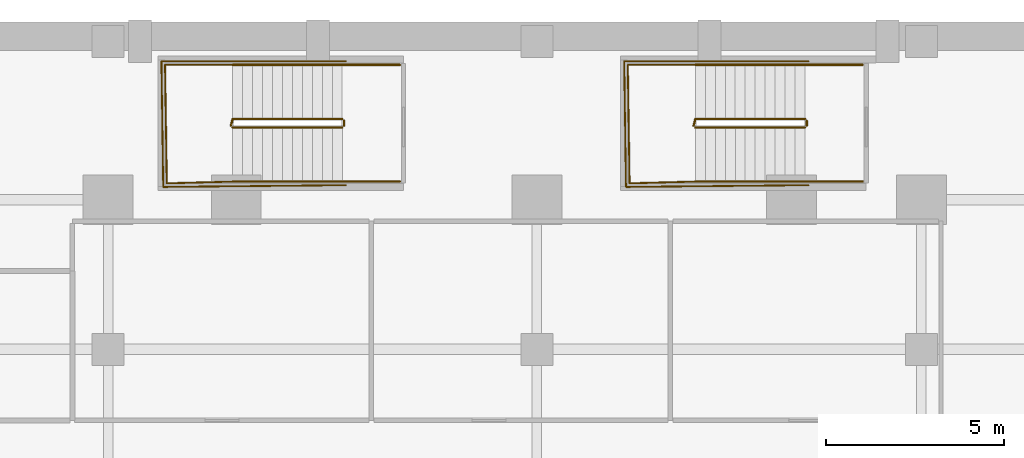
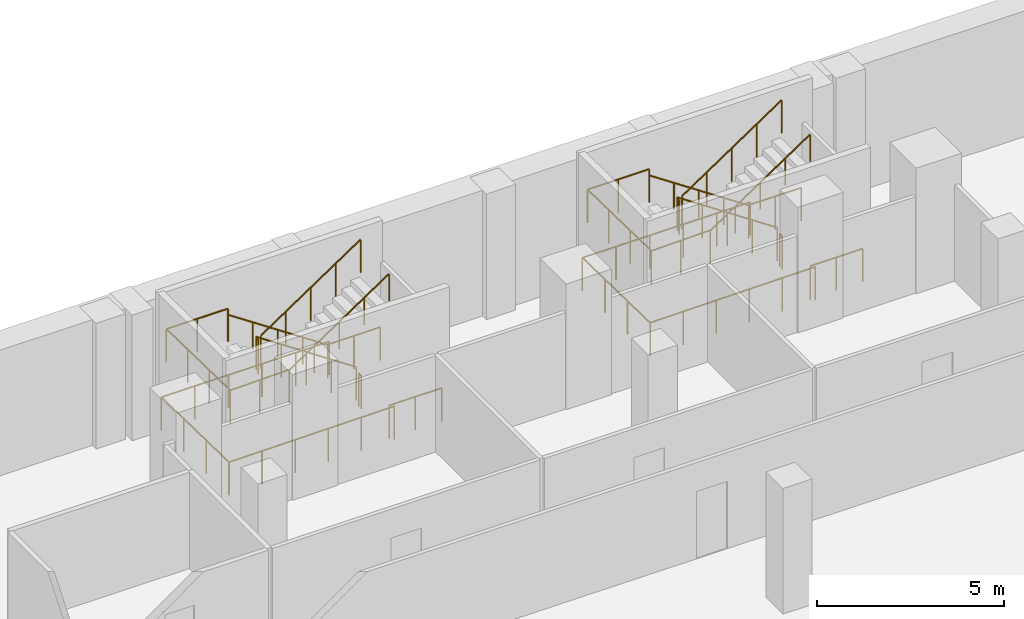
# One storey, part 16 of 18: 18 railings.
"""IFC4 building model written with IfcOpenShell, lengths in metres."""

from ifc_helpers import new_model, si_unit, direction, frame, origin, origin_2d, place, context, subcontext, project, spatial, circle, extrude, material, layer, layer_set, type_object, element, save


model = new_model("IFC4")

# Units and contexts
model_context = context("Model", 3, precision=1e-05, world=origin(), true_north=direction((0.0, 1.0)))
body_context = subcontext(model_context, "Body", "Model", "MODEL_VIEW")
ifc_project = project(units=[si_unit("LENGTHUNIT", "METRE"), si_unit("AREAUNIT", "SQUARE_METRE"), si_unit("VOLUMEUNIT", "CUBIC_METRE"), si_unit("PLANEANGLEUNIT", "RADIAN"), si_unit("MASSUNIT", "GRAM", prefix="KILO")], contexts=[model_context])

# Site, building, storey
site_placement = place(None, origin())
site = spatial("IfcSite", under=ifc_project, at=site_placement, CompositionType="ELEMENT")
building_placement = place(site_placement, origin())
building = spatial("IfcBuilding", under=site, at=building_placement, Name="Ndaravel Arena Tower", CompositionType="ELEMENT")
storey_placement = place(building_placement, frame((0.0, 0.0, -4.5)))
storey = spatial("IfcBuildingStorey", under=building, at=storey_placement, Name="B01", CompositionType="ELEMENT", Elevation=-4.5)

# Railings
ifc_material_1 = material(Name="Steel S355", Category="steel")
ifc_layer_1 = layer(ifc_material_1, 0.06005859375)
ifc_layer_set_1 = layer_set([ifc_layer_1], Name="Steel S355")
railing_type_1 = type_object("IfcRailingType", Name="RAIL-STAIR-GD1100", PredefinedType="GUARDRAIL", material=ifc_layer_set_1)
railing_1_placement = place(storey_placement, frame((37.179931640625, 45.27001953125, 0.1875)))
element("IfcRailing", 1, at=railing_1_placement, inside=storey, type_object=railing_type_1, Name="B01 ST-B3 stair guard 1", PredefinedType="GUARDRAIL", context=body_context, shape_type="SweptSolid", body=[
    extrude(circle(Radius=0.02392578125, at=origin_2d()), frame((0.0, 0.0, 1.076171875), z_axis=(-0.830893310487, 0.0, 0.556431762742), x_axis=(0.0, -1.0, 0.0)), (0.0, 0.0, 1.0), 3.70654296875),
    extrude(circle(Radius=0.02392578125, at=origin_2d()), frame((-3.079833984375, 0.0, 3.138671875), z_axis=(-0.254799187253, -0.966993988697, 0.0), x_axis=(0.966993988697, -0.254799187253, 0.0)), (0.0, 0.0, 1.0), 0.196533203125),
    extrude(circle(Radius=0.02099609375, at=origin_2d()), origin(), (0.0, 0.0, 1.0), 1.052001953125),
    extrude(circle(Radius=0.02099609375, at=origin_2d()), frame((-0.77001953125, 0.0, 0.515625)), (0.0, 0.0, 1.0), 1.052001953125),
    extrude(circle(Radius=0.02099609375, at=origin_2d()), frame((-1.5400390625, 0.0, 1.03125)), (0.0, 0.0, 1.0), 1.052001953125),
    extrude(circle(Radius=0.02099609375, at=origin_2d()), frame((-2.309814453125, 0.0, 1.546875)), (0.0, 0.0, 1.0), 1.052001953125),
    extrude(circle(Radius=0.02099609375, at=origin_2d()), frame((-3.079833984375, 0.0, 2.0625)), (0.0, 0.0, 1.0), 1.052001953125),
    extrude(circle(Radius=0.02099609375, at=origin_2d()), frame((-3.1298828125, -0.18994140625, 2.0625)), (0.0, 0.0, 1.0), 1.052001953125),
])
railing_2_placement = place(storey_placement, frame((34.10009765625, 46.7900390625, 2.25)))
element("IfcRailing", 2, at=railing_2_placement, inside=storey, type_object=railing_type_1, Name="B01 ST-B3 stair guard 2", PredefinedType="GUARDRAIL", context=body_context, shape_type="SweptSolid", body=[
    extrude(circle(Radius=0.02392578125, at=origin_2d()), frame((0.0, 0.0, 1.076171875), z_axis=(-1.0, 0.0, 0.0), x_axis=(0.0, -1.0, 0.0)), (0.0, 0.0, 1.0), 1.900146484375),
    extrude(circle(Radius=0.02392578125, at=origin_2d()), frame((-1.900146484375, 0.0, 1.076171875), z_axis=(0.015027628384, -0.999887078817, 0.0), x_axis=(0.999887078817, 0.015027628384, 0.0)), (0.0, 0.0, 1.0), 3.33056640625),
    extrude(circle(Radius=0.02392578125, at=origin_2d()), frame((-1.85009765625, -3.330078125, 1.076171875), z_axis=(0.999634295555, 0.027042099576, 0.0), x_axis=(-0.027042099576, 0.999634295555, 0.0)), (0.0, 0.0, 1.0), 1.850830078125),
    extrude(circle(Radius=0.02099609375, at=origin_2d()), origin(), (0.0, 0.0, 1.0), 1.052001953125),
    extrude(circle(Radius=0.02099609375, at=origin_2d()), frame((-0.9501953125, 0.0, 0.0)), (0.0, 0.0, 1.0), 1.052001953125),
    extrude(circle(Radius=0.02099609375, at=origin_2d()), frame((-1.900146484375, 0.0, 0.0)), (0.0, 0.0, 1.0), 1.052001953125),
    extrude(circle(Radius=0.02099609375, at=origin_2d()), frame((-1.883544921875, -1.110107421875, 0.0)), (0.0, 0.0, 1.0), 1.052001953125),
    extrude(circle(Radius=0.02099609375, at=origin_2d()), frame((-1.86669921875, -2.219970703125, 0.0)), (0.0, 0.0, 1.0), 1.052001953125),
    extrude(circle(Radius=0.02099609375, at=origin_2d()), frame((-1.85009765625, -3.330078125, 0.0)), (0.0, 0.0, 1.0), 1.052001953125),
    extrude(circle(Radius=0.02099609375, at=origin_2d()), frame((-0.925048828125, -3.30517578125, 0.0)), (0.0, 0.0, 1.0), 1.052001953125),
    extrude(circle(Radius=0.02099609375, at=origin_2d()), frame((0.0, -3.280029296875, 0.0)), (0.0, 0.0, 1.0), 1.052001953125),
])
railing_3_placement = place(storey_placement, frame((34.10009765625, 45.030029296875, 2.4375)))
element("IfcRailing", 3, at=railing_3_placement, inside=storey, type_object=railing_type_1, Name="B01 ST-B3 stair guard 3", PredefinedType="GUARDRAIL", context=body_context, shape_type="SweptSolid", body=[
    extrude(circle(Radius=0.02392578125, at=origin_2d()), frame((0.0, 0.0, 1.076171875), z_axis=(0.830893310487, 0.0, 0.556431762742), x_axis=(0.0, 1.0, 0.0)), (0.0, 0.0, 1.0), 3.70654296875),
    extrude(circle(Radius=0.02099609375, at=origin_2d()), origin(), (0.0, 0.0, 1.0), 1.052001953125),
    extrude(circle(Radius=0.02099609375, at=origin_2d()), frame((0.77001953125, 0.0, 0.515625)), (0.0, 0.0, 1.0), 1.052001953125),
    extrude(circle(Radius=0.02099609375, at=origin_2d()), frame((1.5400390625, 0.0, 1.03125)), (0.0, 0.0, 1.0), 1.052001953125),
    extrude(circle(Radius=0.02099609375, at=origin_2d()), frame((2.309814453125, 0.0, 1.546875)), (0.0, 0.0, 1.0), 1.052001953125),
    extrude(circle(Radius=0.02099609375, at=origin_2d()), frame((3.079833984375, 0.0, 2.0625)), (0.0, 0.0, 1.0), 1.052001953125),
])
railing_4_placement = place(storey_placement, frame((37.22998046875, 45.219970703125, 0.0)))
element("IfcRailing", 4, at=railing_4_placement, inside=storey, type_object=railing_type_1, Name="B01 ST-B3 stair guard 4", PredefinedType="GUARDRAIL", context=body_context, shape_type="SweptSolid", body=[
    extrude(circle(Radius=0.02392578125, at=origin_2d()), frame((0.0, 0.0, 1.076171875), z_axis=(0.0, -1.0, 0.0), x_axis=(1.0, 0.0, 0.0)), (0.0, 0.0, 1.0), 0.139892578125),
    extrude(circle(Radius=0.02099609375, at=origin_2d()), origin(), (0.0, 0.0, 1.0), 1.052001953125),
    extrude(circle(Radius=0.02099609375, at=origin_2d()), frame((0.0, -0.139892578125, 0.0)), (0.0, 0.0, 1.0), 1.052001953125),
])
for number, where, name in (
    (5, (38.800048828125, 46.7900390625, 0.0), "B01 ST-B3 stair guard 5"),
    (6, (38.800048828125, 43.510009765625, 0.0), "B01 ST-B3 stair guard 6"),
):
    element("IfcRailing", number, at=place(storey_placement, frame(where)), inside=storey, type_object=railing_type_1, Name=name, PredefinedType="GUARDRAIL", context=body_context, shape_type="SweptSolid", body=[
        extrude(circle(Radius=0.02392578125, at=origin_2d()), frame((0.0, 0.0, 1.076171875), z_axis=(-1.0, 0.0, 0.0), x_axis=(0.0, -1.0, 0.0)), (0.0, 0.0, 1.0), 1.6201171875),
        extrude(circle(Radius=0.02099609375, at=origin_2d()), origin(), (0.0, 0.0, 1.0), 1.052001953125),
        extrude(circle(Radius=0.02099609375, at=origin_2d()), frame((-0.81005859375, 0.0, 0.0)), (0.0, 0.0, 1.0), 1.052001953125),
        extrude(circle(Radius=0.02099609375, at=origin_2d()), frame((-1.6201171875, 0.0, 0.0)), (0.0, 0.0, 1.0), 1.052001953125),
    ])
railing_5_placement = place(storey_placement, frame((37.280029296875, 46.889892578125, 0.0)))
element("IfcRailing", 7, at=railing_5_placement, inside=storey, type_object=railing_type_1, Name="B01 ST-B3 stair guard 7", PredefinedType="GUARDRAIL", context=body_context, shape_type="SweptSolid", body=[
    extrude(circle(Radius=0.02392578125, at=origin_2d()), frame((0.0, 0.0, 1.076171875), z_axis=(-1.0, 0.0, 0.0), x_axis=(0.0, -1.0, 0.0)), (0.0, 0.0, 1.0), 5.179931640625),
    extrude(circle(Radius=0.02392578125, at=origin_2d()), frame((-5.179931640625, 0.0, 1.076171875), z_axis=(0.014108431049, -0.999900471134, 0.0), x_axis=(0.999900471134, 0.014108431049, 0.0)), (0.0, 0.0, 1.0), 3.530029296875),
    extrude(circle(Radius=0.02392578125, at=origin_2d()), frame((-5.130126953125, -3.52978515625, 1.076171875), z_axis=(0.999952878021, 0.009707818356, 0.0), x_axis=(-0.009707818356, 0.999952878021, 0.0)), (0.0, 0.0, 1.0), 5.13037109375),
    extrude(circle(Radius=0.02099609375, at=origin_2d()), origin(), (0.0, 0.0, 1.0), 1.052001953125),
    extrude(circle(Radius=0.02099609375, at=origin_2d()), frame((-1.035888671875, 0.0, 0.0)), (0.0, 0.0, 1.0), 1.052001953125),
    extrude(circle(Radius=0.02099609375, at=origin_2d()), frame((-2.072021484375, 0.0, 0.0)), (0.0, 0.0, 1.0), 1.052001953125),
    extrude(circle(Radius=0.02099609375, at=origin_2d()), frame((-3.10791015625, 0.0, 0.0)), (0.0, 0.0, 1.0), 1.052001953125),
    extrude(circle(Radius=0.02099609375, at=origin_2d()), frame((-4.14404296875, 0.0, 0.0)), (0.0, 0.0, 1.0), 1.052001953125),
    extrude(circle(Radius=0.02099609375, at=origin_2d()), frame((-5.179931640625, 0.0, 0.0)), (0.0, 0.0, 1.0), 1.052001953125),
    extrude(circle(Radius=0.02099609375, at=origin_2d()), frame((-5.163330078125, -1.176513671875, 0.0)), (0.0, 0.0, 1.0), 1.052001953125),
    extrude(circle(Radius=0.02099609375, at=origin_2d()), frame((-5.146728515625, -2.353271484375, 0.0)), (0.0, 0.0, 1.0), 1.052001953125),
    extrude(circle(Radius=0.02099609375, at=origin_2d()), frame((-5.130126953125, -3.52978515625, 0.0)), (0.0, 0.0, 1.0), 1.052001953125),
    extrude(circle(Radius=0.02099609375, at=origin_2d()), frame((-4.10400390625, -3.519775390625, 0.0)), (0.0, 0.0, 1.0), 1.052001953125),
    extrude(circle(Radius=0.02099609375, at=origin_2d()), frame((-3.078125, -3.509765625, 0.0)), (0.0, 0.0, 1.0), 1.052001953125),
    extrude(circle(Radius=0.02099609375, at=origin_2d()), frame((-2.052001953125, -3.5, 0.0)), (0.0, 0.0, 1.0), 1.052001953125),
    extrude(circle(Radius=0.02099609375, at=origin_2d()), frame((-1.026123046875, -3.489990234375, 0.0)), (0.0, 0.0, 1.0), 1.052001953125),
    extrude(circle(Radius=0.02099609375, at=origin_2d()), frame((0.0, -3.47998046875, 0.0)), (0.0, 0.0, 1.0), 1.052001953125),
])
railing_6_placement = place(storey_placement, frame((50.179931640625, 45.27001953125, 0.1875)))
element("IfcRailing", 8, at=railing_6_placement, inside=storey, type_object=railing_type_1, Name="B01 ST-B4 stair guard 1", PredefinedType="GUARDRAIL", context=body_context, shape_type="SweptSolid", body=[
    extrude(circle(Radius=0.02392578125, at=origin_2d()), frame((0.0, 0.0, 1.076171875), z_axis=(-0.830893310487, 0.0, 0.556431762742), x_axis=(0.0, -1.0, 0.0)), (0.0, 0.0, 1.0), 3.70654296875),
    extrude(circle(Radius=0.02392578125, at=origin_2d()), frame((-3.079833984375, 0.0, 3.138671875), z_axis=(-0.254799187253, -0.966993988697, 0.0), x_axis=(0.966993988697, -0.254799187253, 0.0)), (0.0, 0.0, 1.0), 0.196533203125),
    extrude(circle(Radius=0.02099609375, at=origin_2d()), origin(), (0.0, 0.0, 1.0), 1.052001953125),
    extrude(circle(Radius=0.02099609375, at=origin_2d()), frame((-0.77001953125, 0.0, 0.515625)), (0.0, 0.0, 1.0), 1.052001953125),
    extrude(circle(Radius=0.02099609375, at=origin_2d()), frame((-1.5400390625, 0.0, 1.03125)), (0.0, 0.0, 1.0), 1.052001953125),
    extrude(circle(Radius=0.02099609375, at=origin_2d()), frame((-2.309814453125, 0.0, 1.546875)), (0.0, 0.0, 1.0), 1.052001953125),
    extrude(circle(Radius=0.02099609375, at=origin_2d()), frame((-3.079833984375, 0.0, 2.0625)), (0.0, 0.0, 1.0), 1.052001953125),
    extrude(circle(Radius=0.02099609375, at=origin_2d()), frame((-3.1298828125, -0.18994140625, 2.0625)), (0.0, 0.0, 1.0), 1.052001953125),
])
railing_7_placement = place(storey_placement, frame((47.10009765625, 46.7900390625, 2.25)))
element("IfcRailing", 9, at=railing_7_placement, inside=storey, type_object=railing_type_1, Name="B01 ST-B4 stair guard 2", PredefinedType="GUARDRAIL", context=body_context, shape_type="SweptSolid", body=[
    extrude(circle(Radius=0.02392578125, at=origin_2d()), frame((0.0, 0.0, 1.076171875), z_axis=(-1.0, 0.0, 0.0), x_axis=(0.0, -1.0, 0.0)), (0.0, 0.0, 1.0), 1.900146484375),
    extrude(circle(Radius=0.02392578125, at=origin_2d()), frame((-1.900146484375, 0.0, 1.076171875), z_axis=(0.015027628384, -0.999887078817, 0.0), x_axis=(0.999887078817, 0.015027628384, 0.0)), (0.0, 0.0, 1.0), 3.33056640625),
    extrude(circle(Radius=0.02392578125, at=origin_2d()), frame((-1.85009765625, -3.330078125, 1.076171875), z_axis=(0.999634295555, 0.027042099576, 0.0), x_axis=(-0.027042099576, 0.999634295555, 0.0)), (0.0, 0.0, 1.0), 1.850830078125),
    extrude(circle(Radius=0.02099609375, at=origin_2d()), origin(), (0.0, 0.0, 1.0), 1.052001953125),
    extrude(circle(Radius=0.02099609375, at=origin_2d()), frame((-0.9501953125, 0.0, 0.0)), (0.0, 0.0, 1.0), 1.052001953125),
    extrude(circle(Radius=0.02099609375, at=origin_2d()), frame((-1.900146484375, 0.0, 0.0)), (0.0, 0.0, 1.0), 1.052001953125),
    extrude(circle(Radius=0.02099609375, at=origin_2d()), frame((-1.883544921875, -1.110107421875, 0.0)), (0.0, 0.0, 1.0), 1.052001953125),
    extrude(circle(Radius=0.02099609375, at=origin_2d()), frame((-1.86669921875, -2.219970703125, 0.0)), (0.0, 0.0, 1.0), 1.052001953125),
    extrude(circle(Radius=0.02099609375, at=origin_2d()), frame((-1.85009765625, -3.330078125, 0.0)), (0.0, 0.0, 1.0), 1.052001953125),
    extrude(circle(Radius=0.02099609375, at=origin_2d()), frame((-0.925048828125, -3.30517578125, 0.0)), (0.0, 0.0, 1.0), 1.052001953125),
    extrude(circle(Radius=0.02099609375, at=origin_2d()), frame((0.0, -3.280029296875, 0.0)), (0.0, 0.0, 1.0), 1.052001953125),
])
railing_8_placement = place(storey_placement, frame((47.10009765625, 45.030029296875, 2.4375)))
element("IfcRailing", 10, at=railing_8_placement, inside=storey, type_object=railing_type_1, Name="B01 ST-B4 stair guard 3", PredefinedType="GUARDRAIL", context=body_context, shape_type="SweptSolid", body=[
    extrude(circle(Radius=0.02392578125, at=origin_2d()), frame((0.0, 0.0, 1.076171875), z_axis=(0.830893310487, 0.0, 0.556431762742), x_axis=(0.0, 1.0, 0.0)), (0.0, 0.0, 1.0), 3.70654296875),
    extrude(circle(Radius=0.02099609375, at=origin_2d()), origin(), (0.0, 0.0, 1.0), 1.052001953125),
    extrude(circle(Radius=0.02099609375, at=origin_2d()), frame((0.77001953125, 0.0, 0.515625)), (0.0, 0.0, 1.0), 1.052001953125),
    extrude(circle(Radius=0.02099609375, at=origin_2d()), frame((1.5400390625, 0.0, 1.03125)), (0.0, 0.0, 1.0), 1.052001953125),
    extrude(circle(Radius=0.02099609375, at=origin_2d()), frame((2.309814453125, 0.0, 1.546875)), (0.0, 0.0, 1.0), 1.052001953125),
    extrude(circle(Radius=0.02099609375, at=origin_2d()), frame((3.079833984375, 0.0, 2.0625)), (0.0, 0.0, 1.0), 1.052001953125),
])
railing_9_placement = place(storey_placement, frame((50.22998046875, 45.219970703125, 0.0)))
element("IfcRailing", 11, at=railing_9_placement, inside=storey, type_object=railing_type_1, Name="B01 ST-B4 stair guard 4", PredefinedType="GUARDRAIL", context=body_context, shape_type="SweptSolid", body=[
    extrude(circle(Radius=0.02392578125, at=origin_2d()), frame((0.0, 0.0, 1.076171875), z_axis=(0.0, -1.0, 0.0), x_axis=(1.0, 0.0, 0.0)), (0.0, 0.0, 1.0), 0.139892578125),
    extrude(circle(Radius=0.02099609375, at=origin_2d()), origin(), (0.0, 0.0, 1.0), 1.052001953125),
    extrude(circle(Radius=0.02099609375, at=origin_2d()), frame((0.0, -0.139892578125, 0.0)), (0.0, 0.0, 1.0), 1.052001953125),
])
for number, where, name in (
    (12, (51.800048828125, 46.7900390625, 0.0), "B01 ST-B4 stair guard 5"),
    (13, (51.800048828125, 43.510009765625, 0.0), "B01 ST-B4 stair guard 6"),
):
    element("IfcRailing", number, at=place(storey_placement, frame(where)), inside=storey, type_object=railing_type_1, Name=name, PredefinedType="GUARDRAIL", context=body_context, shape_type="SweptSolid", body=[
        extrude(circle(Radius=0.02392578125, at=origin_2d()), frame((0.0, 0.0, 1.076171875), z_axis=(-1.0, 0.0, 0.0), x_axis=(0.0, -1.0, 0.0)), (0.0, 0.0, 1.0), 1.6201171875),
        extrude(circle(Radius=0.02099609375, at=origin_2d()), origin(), (0.0, 0.0, 1.0), 1.052001953125),
        extrude(circle(Radius=0.02099609375, at=origin_2d()), frame((-0.81005859375, 0.0, 0.0)), (0.0, 0.0, 1.0), 1.052001953125),
        extrude(circle(Radius=0.02099609375, at=origin_2d()), frame((-1.6201171875, 0.0, 0.0)), (0.0, 0.0, 1.0), 1.052001953125),
    ])
railing_10_placement = place(storey_placement, frame((50.280029296875, 46.889892578125, 0.0)))
element("IfcRailing", 14, at=railing_10_placement, inside=storey, type_object=railing_type_1, Name="B01 ST-B4 stair guard 7", PredefinedType="GUARDRAIL", context=body_context, shape_type="SweptSolid", body=[
    extrude(circle(Radius=0.02392578125, at=origin_2d()), frame((0.0, 0.0, 1.076171875), z_axis=(-1.0, 0.0, 0.0), x_axis=(0.0, -1.0, 0.0)), (0.0, 0.0, 1.0), 5.179931640625),
    extrude(circle(Radius=0.02392578125, at=origin_2d()), frame((-5.179931640625, 0.0, 1.076171875), z_axis=(0.014108431049, -0.999900471134, 0.0), x_axis=(0.999900471134, 0.014108431049, 0.0)), (0.0, 0.0, 1.0), 3.530029296875),
    extrude(circle(Radius=0.02392578125, at=origin_2d()), frame((-5.130126953125, -3.52978515625, 1.076171875), z_axis=(0.999952878021, 0.009707818356, 0.0), x_axis=(-0.009707818356, 0.999952878021, 0.0)), (0.0, 0.0, 1.0), 5.13037109375),
    extrude(circle(Radius=0.02099609375, at=origin_2d()), origin(), (0.0, 0.0, 1.0), 1.052001953125),
    extrude(circle(Radius=0.02099609375, at=origin_2d()), frame((-1.035888671875, 0.0, 0.0)), (0.0, 0.0, 1.0), 1.052001953125),
    extrude(circle(Radius=0.02099609375, at=origin_2d()), frame((-2.072021484375, 0.0, 0.0)), (0.0, 0.0, 1.0), 1.052001953125),
    extrude(circle(Radius=0.02099609375, at=origin_2d()), frame((-3.10791015625, 0.0, 0.0)), (0.0, 0.0, 1.0), 1.052001953125),
    extrude(circle(Radius=0.02099609375, at=origin_2d()), frame((-4.14404296875, 0.0, 0.0)), (0.0, 0.0, 1.0), 1.052001953125),
    extrude(circle(Radius=0.02099609375, at=origin_2d()), frame((-5.179931640625, 0.0, 0.0)), (0.0, 0.0, 1.0), 1.052001953125),
    extrude(circle(Radius=0.02099609375, at=origin_2d()), frame((-5.163330078125, -1.176513671875, 0.0)), (0.0, 0.0, 1.0), 1.052001953125),
    extrude(circle(Radius=0.02099609375, at=origin_2d()), frame((-5.146728515625, -2.353271484375, 0.0)), (0.0, 0.0, 1.0), 1.052001953125),
    extrude(circle(Radius=0.02099609375, at=origin_2d()), frame((-5.130126953125, -3.52978515625, 0.0)), (0.0, 0.0, 1.0), 1.052001953125),
    extrude(circle(Radius=0.02099609375, at=origin_2d()), frame((-4.10400390625, -3.519775390625, 0.0)), (0.0, 0.0, 1.0), 1.052001953125),
    extrude(circle(Radius=0.02099609375, at=origin_2d()), frame((-3.078125, -3.509765625, 0.0)), (0.0, 0.0, 1.0), 1.052001953125),
    extrude(circle(Radius=0.02099609375, at=origin_2d()), frame((-2.052001953125, -3.5, 0.0)), (0.0, 0.0, 1.0), 1.052001953125),
    extrude(circle(Radius=0.02099609375, at=origin_2d()), frame((-1.026123046875, -3.489990234375, 0.0)), (0.0, 0.0, 1.0), 1.052001953125),
    extrude(circle(Radius=0.02099609375, at=origin_2d()), frame((0.0, -3.47998046875, 0.0)), (0.0, 0.0, 1.0), 1.052001953125),
])
ifc_material_2 = material(Name="Steel S355", Category="steel")
ifc_layer_2 = layer(ifc_material_2, 0.050048828125)
ifc_layer_set_2 = layer_set([ifc_layer_2], Name="Steel S355")
railing_type_2 = type_object("IfcRailingType", Name="RAIL-STAIR-HR920", PredefinedType="HANDRAIL", material=ifc_layer_set_2)
railing_11_placement = place(storey_placement, frame((37.179931640625, 46.7900390625, 0.1875)))
element("IfcRailing", 15, at=railing_11_placement, inside=storey, type_object=railing_type_2, Name="B01 ST-B3 stair handrail 1", PredefinedType="HANDRAIL", context=body_context, shape_type="SweptSolid", body=[
    extrude(circle(Radius=0.02392578125, at=origin_2d()), frame((0.0, 0.0, 0.8759765625), z_axis=(-0.830893310487, 0.0, 0.556431762742), x_axis=(0.0, -1.0, 0.0)), (0.0, 0.0, 1.0), 3.70654296875),
    extrude(circle(Radius=0.02099609375, at=origin_2d()), origin(), (0.0, 0.0, 1.0), 0.851806640625),
    extrude(circle(Radius=0.02099609375, at=origin_2d()), frame((-0.77001953125, 0.0, 0.515625)), (0.0, 0.0, 1.0), 0.851806640625),
    extrude(circle(Radius=0.02099609375, at=origin_2d()), frame((-1.5400390625, 0.0, 1.03125)), (0.0, 0.0, 1.0), 0.851806640625),
    extrude(circle(Radius=0.02099609375, at=origin_2d()), frame((-2.309814453125, 0.0, 1.546875)), (0.0, 0.0, 1.0), 0.851806640625),
    extrude(circle(Radius=0.02099609375, at=origin_2d()), frame((-3.079833984375, 0.0, 2.0625)), (0.0, 0.0, 1.0), 0.851806640625),
])
railing_12_placement = place(storey_placement, frame((34.10009765625, 43.510009765625, 2.4375)))
element("IfcRailing", 16, at=railing_12_placement, inside=storey, type_object=railing_type_2, Name="B01 ST-B3 stair handrail 2", PredefinedType="HANDRAIL", context=body_context, shape_type="SweptSolid", body=[
    extrude(circle(Radius=0.02392578125, at=origin_2d()), frame((0.0, 0.0, 0.8759765625), z_axis=(0.830893310487, 0.0, 0.556431762742), x_axis=(0.0, 1.0, 0.0)), (0.0, 0.0, 1.0), 3.70654296875),
    extrude(circle(Radius=0.02099609375, at=origin_2d()), origin(), (0.0, 0.0, 1.0), 0.851806640625),
    extrude(circle(Radius=0.02099609375, at=origin_2d()), frame((0.77001953125, 0.0, 0.515625)), (0.0, 0.0, 1.0), 0.851806640625),
    extrude(circle(Radius=0.02099609375, at=origin_2d()), frame((1.5400390625, 0.0, 1.03125)), (0.0, 0.0, 1.0), 0.851806640625),
    extrude(circle(Radius=0.02099609375, at=origin_2d()), frame((2.309814453125, 0.0, 1.546875)), (0.0, 0.0, 1.0), 0.851806640625),
    extrude(circle(Radius=0.02099609375, at=origin_2d()), frame((3.079833984375, 0.0, 2.0625)), (0.0, 0.0, 1.0), 0.851806640625),
])
railing_13_placement = place(storey_placement, frame((50.179931640625, 46.7900390625, 0.1875)))
element("IfcRailing", 17, at=railing_13_placement, inside=storey, type_object=railing_type_2, Name="B01 ST-B4 stair handrail 1", PredefinedType="HANDRAIL", context=body_context, shape_type="SweptSolid", body=[
    extrude(circle(Radius=0.02392578125, at=origin_2d()), frame((0.0, 0.0, 0.8759765625), z_axis=(-0.830893310487, 0.0, 0.556431762742), x_axis=(0.0, -1.0, 0.0)), (0.0, 0.0, 1.0), 3.70654296875),
    extrude(circle(Radius=0.02099609375, at=origin_2d()), origin(), (0.0, 0.0, 1.0), 0.851806640625),
    extrude(circle(Radius=0.02099609375, at=origin_2d()), frame((-0.77001953125, 0.0, 0.515625)), (0.0, 0.0, 1.0), 0.851806640625),
    extrude(circle(Radius=0.02099609375, at=origin_2d()), frame((-1.5400390625, 0.0, 1.03125)), (0.0, 0.0, 1.0), 0.851806640625),
    extrude(circle(Radius=0.02099609375, at=origin_2d()), frame((-2.309814453125, 0.0, 1.546875)), (0.0, 0.0, 1.0), 0.851806640625),
    extrude(circle(Radius=0.02099609375, at=origin_2d()), frame((-3.079833984375, 0.0, 2.0625)), (0.0, 0.0, 1.0), 0.851806640625),
])
railing_14_placement = place(storey_placement, frame((47.10009765625, 43.510009765625, 2.4375)))
element("IfcRailing", 18, at=railing_14_placement, inside=storey, type_object=railing_type_2, Name="B01 ST-B4 stair handrail 2", PredefinedType="HANDRAIL", context=body_context, shape_type="SweptSolid", body=[
    extrude(circle(Radius=0.02392578125, at=origin_2d()), frame((0.0, 0.0, 0.8759765625), z_axis=(0.830893310487, 0.0, 0.556431762742), x_axis=(0.0, 1.0, 0.0)), (0.0, 0.0, 1.0), 3.70654296875),
    extrude(circle(Radius=0.02099609375, at=origin_2d()), origin(), (0.0, 0.0, 1.0), 0.851806640625),
    extrude(circle(Radius=0.02099609375, at=origin_2d()), frame((0.77001953125, 0.0, 0.515625)), (0.0, 0.0, 1.0), 0.851806640625),
    extrude(circle(Radius=0.02099609375, at=origin_2d()), frame((1.5400390625, 0.0, 1.03125)), (0.0, 0.0, 1.0), 0.851806640625),
    extrude(circle(Radius=0.02099609375, at=origin_2d()), frame((2.309814453125, 0.0, 1.546875)), (0.0, 0.0, 1.0), 0.851806640625),
    extrude(circle(Radius=0.02099609375, at=origin_2d()), frame((3.079833984375, 0.0, 2.0625)), (0.0, 0.0, 1.0), 0.851806640625),
])

save(model, "model.ifc")
